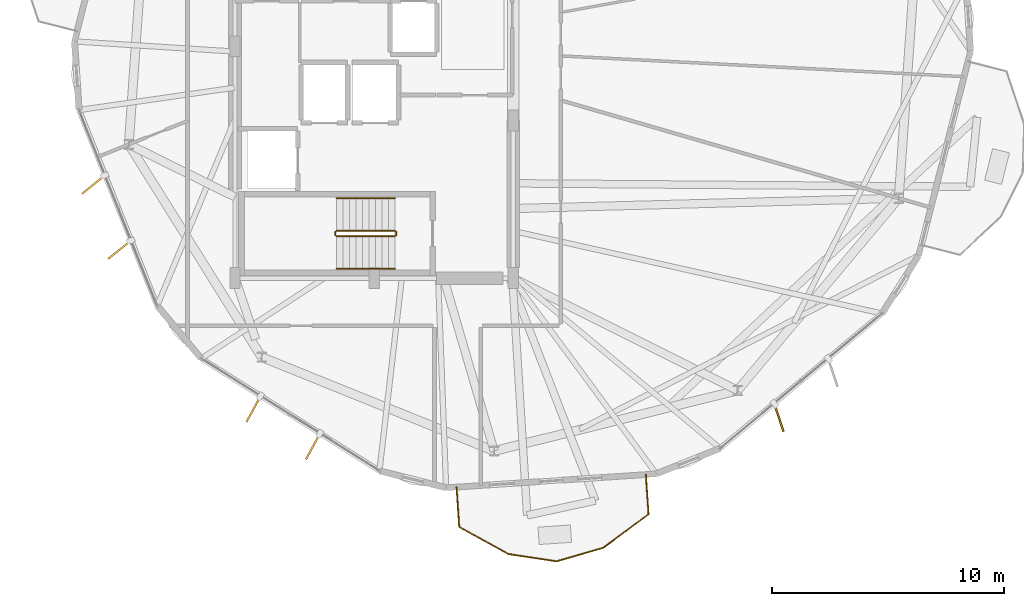
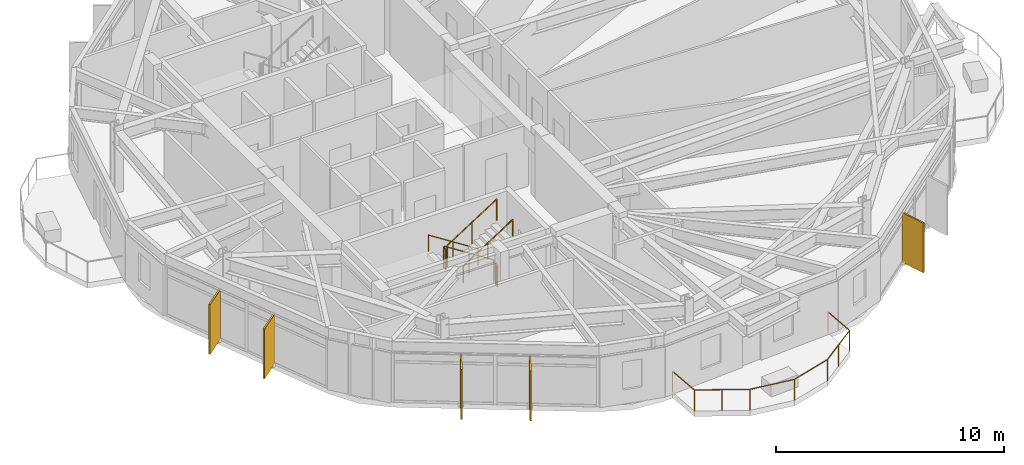
# One storey, part 22 of 24: 7 railings, 5 shading devices.
"""IFC4 building model written with IfcOpenShell, lengths in metres."""

from ifc_helpers import new_model, si_unit, direction, frame, origin, origin_2d, place, context, subcontext, project, spatial, rectangle, circle, extrude, material, layer, layer_set, type_object, element, save


model = new_model("IFC4")

# Units and contexts
model_context = context("Model", 3, precision=1e-05, world=origin(), true_north=direction((0.0, 1.0)))
body_context = subcontext(model_context, "Body", "Model", "MODEL_VIEW")
ifc_project = project(units=[si_unit("LENGTHUNIT", "METRE"), si_unit("AREAUNIT", "SQUARE_METRE"), si_unit("VOLUMEUNIT", "CUBIC_METRE"), si_unit("PLANEANGLEUNIT", "RADIAN"), si_unit("MASSUNIT", "GRAM", prefix="KILO")], contexts=[model_context])

# Site, building, storey
site_placement = place(None, origin())
site = spatial("IfcSite", under=ifc_project, at=site_placement, CompositionType="ELEMENT")
building_placement = place(site_placement, origin())
building = spatial("IfcBuilding", under=site, at=building_placement, Name="Soratama Intermodal Tower", CompositionType="ELEMENT")
storey_placement = place(building_placement, frame((0.0, 0.0, 178.60009765625)))
storey = spatial("IfcBuildingStorey", under=building, at=storey_placement, Name="L44", CompositionType="ELEMENT", Elevation=178.60009765625)

# Railings
ifc_material_1 = material(Name="Laminated glass and stainless steel balustrade", Category="steel")
railing_type_1 = type_object("IfcRailingType", Name="RL-BAL-1150", PredefinedType="BALUSTRADE", material=ifc_material_1)
railing_1_placement = place(storey_placement, frame((50.322998046875, 6.52734375, 0.0)))
element("IfcRailing", 1, at=railing_1_placement, inside=storey, type_object=railing_type_1, Name="L44 Balcony Balustrade 3", PredefinedType="BALUSTRADE", context=body_context, shape_type="SweptSolid", body=[
    extrude(circle(Radius=0.02392578125, at=origin_2d()), frame((0.0, 0.0, 1.1259765625), z_axis=(0.065859546388, -0.997828903244, 0.0), x_axis=(0.997828903244, 0.065859546388, 0.0)), (0.0, 0.0, 1.0), 1.719970703125),
    extrude(circle(Radius=0.02392578125, at=origin_2d()), frame((0.11328125, -1.71630859375, 1.1259765625), z_axis=(-0.804712329852, -0.593664944379, 0.0), x_axis=(0.593664944379, -0.804712329852, 0.0)), (0.0, 0.0, 1.0), 2.430419921875),
    extrude(circle(Radius=0.02392578125, at=origin_2d()), frame((-1.842529296875, -3.1591796875, 1.1259765625), z_axis=(-0.960515113868, -0.278227813187, 0.0), x_axis=(0.278227813187, -0.960515113868, 0.0)), (0.0, 0.0, 1.0), 2.095458984375),
    extrude(circle(Radius=0.02392578125, at=origin_2d()), frame((-3.855224609375, -3.7421875, 1.1259765625), z_axis=(-0.988765647731, 0.149474057504, 0.0), x_axis=(-0.149474057504, -0.988765647731, 0.0)), (0.0, 0.0, 1.0), 2.095458984375),
    extrude(circle(Radius=0.02392578125, at=origin_2d()), frame((-5.92724609375, -3.428955078125, 1.1259765625), z_axis=(-0.875810527534, 0.48265507338, 0.0), x_axis=(-0.48265507338, -0.875810527534, 0.0)), (0.0, 0.0, 1.0), 2.430419921875),
    extrude(circle(Radius=0.02392578125, at=origin_2d()), frame((-8.055908203125, -2.255859375, 1.1259765625), z_axis=(-0.065859546388, 0.997828903244, 0.0), x_axis=(-0.997828903244, -0.065859546388, 0.0)), (0.0, 0.0, 1.0), 1.719970703125),
    extrude(circle(Radius=0.02099609375, at=origin_2d()), origin(), (0.0, 0.0, 1.0), 1.101806640625),
    extrude(circle(Radius=0.02099609375, at=origin_2d()), frame((0.11328125, -1.71630859375, 0.0)), (0.0, 0.0, 1.0), 1.101806640625),
    extrude(circle(Radius=0.02099609375, at=origin_2d()), frame((-0.86474609375, -2.437744140625, 0.0)), (0.0, 0.0, 1.0), 1.101806640625),
    extrude(circle(Radius=0.02099609375, at=origin_2d()), frame((-1.842529296875, -3.1591796875, 0.0)), (0.0, 0.0, 1.0), 1.101806640625),
    extrude(circle(Radius=0.02099609375, at=origin_2d()), frame((-3.855224609375, -3.7421875, 0.0)), (0.0, 0.0, 1.0), 1.101806640625),
    extrude(circle(Radius=0.02099609375, at=origin_2d()), frame((-5.92724609375, -3.428955078125, 0.0)), (0.0, 0.0, 1.0), 1.101806640625),
    extrude(circle(Radius=0.02099609375, at=origin_2d()), frame((-6.99169921875, -2.84228515625, 0.0)), (0.0, 0.0, 1.0), 1.101806640625),
    extrude(circle(Radius=0.02099609375, at=origin_2d()), frame((-8.055908203125, -2.255859375, 0.0)), (0.0, 0.0, 1.0), 1.101806640625),
    extrude(circle(Radius=0.02099609375, at=origin_2d()), frame((-8.169189453125, -0.53955078125, 0.0)), (0.0, 0.0, 1.0), 1.101806640625),
])
ifc_material_2 = material(Name="Painted steel stair guardrail", Category="steel")
railing_type_2 = type_object("IfcRailingType", Name="RL-STAIR-GUARD", PredefinedType="GUARDRAIL", material=ifc_material_2)
railing_2_placement = place(storey_placement, frame((39.5, 17.050048828125, 0.179931640625)))
element("IfcRailing", 2, at=railing_2_placement, inside=storey, type_object=railing_type_2, Name="L44 ST-1 stair guard 1", PredefinedType="GUARDRAIL", context=body_context, shape_type="SweptSolid", body=[
    extrude(circle(Radius=0.02392578125, at=origin_2d()), frame((0.0, 0.0, 1.1259765625), z_axis=(-0.841199657755, 0.0, 0.540724639528), x_axis=(0.0, -1.0, 0.0)), (0.0, 0.0, 1.0), 2.995849609375),
    extrude(circle(Radius=0.02099609375, at=origin_2d()), origin(), (0.0, 0.0, 1.0), 1.101806640625),
    extrude(circle(Radius=0.02099609375, at=origin_2d()), frame((-1.260009765625, 0.0, 0.81005859375)), (0.0, 0.0, 1.0), 1.101806640625),
    extrude(circle(Radius=0.02099609375, at=origin_2d()), frame((-2.52001953125, 0.0, 1.619873046875)), (0.0, 0.0, 1.0), 1.101806640625),
])
railing_3_placement = place(storey_placement, frame((36.929931640625, 17.0, 1.7998046875)))
element("IfcRailing", 3, at=railing_3_placement, inside=storey, type_object=railing_type_2, Name="L44 ST-1 stair guard 2", PredefinedType="GUARDRAIL", context=body_context, shape_type="SweptSolid", body=[
    extrude(circle(Radius=0.02392578125, at=origin_2d()), frame((0.0, 0.0, 1.1259765625), z_axis=(0.0, -1.0, 0.0), x_axis=(1.0, 0.0, 0.0)), (0.0, 0.0, 1.0), 0.14990234375),
    extrude(circle(Radius=0.02099609375, at=origin_2d()), origin(), (0.0, 0.0, 1.0), 1.101806640625),
    extrude(circle(Radius=0.02099609375, at=origin_2d()), frame((0.0, -0.14990234375, 0.0)), (0.0, 0.0, 1.0), 1.101806640625),
])
railing_4_placement = place(storey_placement, frame((36.97998046875, 16.800048828125, 1.97998046875)))
element("IfcRailing", 4, at=railing_4_placement, inside=storey, type_object=railing_type_2, Name="L44 ST-1 stair guard 3", PredefinedType="GUARDRAIL", context=body_context, shape_type="SweptSolid", body=[
    extrude(circle(Radius=0.02392578125, at=origin_2d()), frame((0.0, 0.0, 1.1259765625), z_axis=(0.841199657755, 0.0, 0.540724639528), x_axis=(0.0, 1.0, 0.0)), (0.0, 0.0, 1.0), 2.995849609375),
    extrude(circle(Radius=0.02099609375, at=origin_2d()), origin(), (0.0, 0.0, 1.0), 1.101806640625),
    extrude(circle(Radius=0.02099609375, at=origin_2d()), frame((1.260009765625, 0.0, 0.81005859375)), (0.0, 0.0, 1.0), 1.101806640625),
    extrude(circle(Radius=0.02099609375, at=origin_2d()), frame((2.52001953125, 0.0, 1.619873046875)), (0.0, 0.0, 1.0), 1.101806640625),
])
railing_5_placement = place(storey_placement, frame((39.550048828125, 17.0, 0.0)))
element("IfcRailing", 5, at=railing_5_placement, inside=storey, type_object=railing_type_2, Name="L44 ST-1 stair guard 4", PredefinedType="GUARDRAIL", context=body_context, shape_type="SweptSolid", body=[
    extrude(circle(Radius=0.02392578125, at=origin_2d()), frame((0.0, 0.0, 1.1259765625), z_axis=(0.0, -1.0, 0.0), x_axis=(1.0, 0.0, 0.0)), (0.0, 0.0, 1.0), 0.14990234375),
    extrude(circle(Radius=0.02099609375, at=origin_2d()), origin(), (0.0, 0.0, 1.0), 1.101806640625),
    extrude(circle(Radius=0.02099609375, at=origin_2d()), frame((0.0, -0.14990234375, 0.0)), (0.0, 0.0, 1.0), 1.101806640625),
])
ifc_material_3 = material(Name="Brushed stainless steel handrail", Category="steel")
railing_type_3 = type_object("IfcRailingType", Name="RL-STAIR-HAND", PredefinedType="HANDRAIL", material=ifc_material_3)
railing_6_placement = place(storey_placement, frame((39.5, 18.449951171875, 0.179931640625)))
element("IfcRailing", 6, at=railing_6_placement, inside=storey, type_object=railing_type_3, Name="L44 ST-1 stair handrail 1", PredefinedType="HANDRAIL", context=body_context, shape_type="SweptSolid", body=[
    extrude(circle(Radius=0.02392578125, at=origin_2d()), frame((0.0, 0.0, 0.8759765625), z_axis=(-0.841199657755, 0.0, 0.540724639528), x_axis=(0.0, -1.0, 0.0)), (0.0, 0.0, 1.0), 2.995849609375),
    extrude(circle(Radius=0.02099609375, at=origin_2d()), origin(), (0.0, 0.0, 1.0), 0.851806640625),
    extrude(circle(Radius=0.02099609375, at=origin_2d()), frame((-1.260009765625, 0.0, 0.81005859375)), (0.0, 0.0, 1.0), 0.851806640625),
    extrude(circle(Radius=0.02099609375, at=origin_2d()), frame((-2.52001953125, 0.0, 1.619873046875)), (0.0, 0.0, 1.0), 0.851806640625),
])
railing_7_placement = place(storey_placement, frame((36.97998046875, 15.39990234375, 1.97998046875)))
element("IfcRailing", 7, at=railing_7_placement, inside=storey, type_object=railing_type_3, Name="L44 ST-1 stair handrail 2", PredefinedType="HANDRAIL", context=body_context, shape_type="SweptSolid", body=[
    extrude(circle(Radius=0.02392578125, at=origin_2d()), frame((0.0, 0.0, 0.8759765625), z_axis=(0.841199657755, 0.0, 0.540724639528), x_axis=(0.0, 1.0, 0.0)), (0.0, 0.0, 1.0), 2.995849609375),
    extrude(circle(Radius=0.02099609375, at=origin_2d()), origin(), (0.0, 0.0, 1.0), 0.851806640625),
    extrude(circle(Radius=0.02099609375, at=origin_2d()), frame((1.260009765625, 0.0, 0.81005859375)), (0.0, 0.0, 1.0), 0.851806640625),
    extrude(circle(Radius=0.02099609375, at=origin_2d()), frame((2.52001953125, 0.0, 1.619873046875)), (0.0, 0.0, 1.0), 0.851806640625),
])

# Shading devices
ifc_material_4 = material(Name="Champagne anodised aluminium solar fin", Category="aluminium")
ifc_layer = layer(ifc_material_4, 0.080078125)
ifc_layer_set = layer_set([ifc_layer], Name="Champagne anodised aluminium solar fin")
shading_device_type = type_object("IfcShadingDeviceType", Name="SH-FIN-1250", PredefinedType="USERDEFINED", material=ifc_layer_set)
for number, where, z_axis, x_axis, name in (
    (8, (26.492431640625, 19.033203125, 0.02001953125), (0.0, 0.0, 1.0), (-0.779884483093, -0.625923472184, 0.0), "L44 Solar Fin F05-1"),
    (9, (27.616455078125, 16.220458984375, 0.02001953125), (0.0, 0.0, 1.0), (-0.779884483093, -0.625923472184, 0.0), "L44 Solar Fin F05-2"),
    (10, (33.396484375, 9.349609375, 0.02001953125), (0.0, 0.0, 1.0), (-0.476698547309, -0.879066831927, 0.0), "L44 Solar Fin F06-1"),
    (11, (35.958984375, 7.734619140625, 0.02001953125), (0.0, 0.0, 1.0), (-0.476698547309, -0.879066831927, 0.0), "L44 Solar Fin F06-2"),
    (12, (56.05810546875, 8.98388671875, 0.02001953125), (0.0, 0.0, 1.0), (0.315649036947, -0.948876011644, 0.0), "L44 Solar Fin F08-1"),
):
    element("IfcShadingDevice", number, at=place(storey_placement, frame(where, z_axis=z_axis, x_axis=x_axis)), inside=storey, type_object=shading_device_type, Name=name, ObjectType="FIN", PredefinedType="USERDEFINED", context=body_context, shape_type="SweptSolid", body=[
        extrude(rectangle(XDim=1.25, YDim=0.080078125, at=origin_2d()), origin(), (0.0, 0.0, 1.0), 2.658935546875),
    ])

save(model, "model.ifc")
